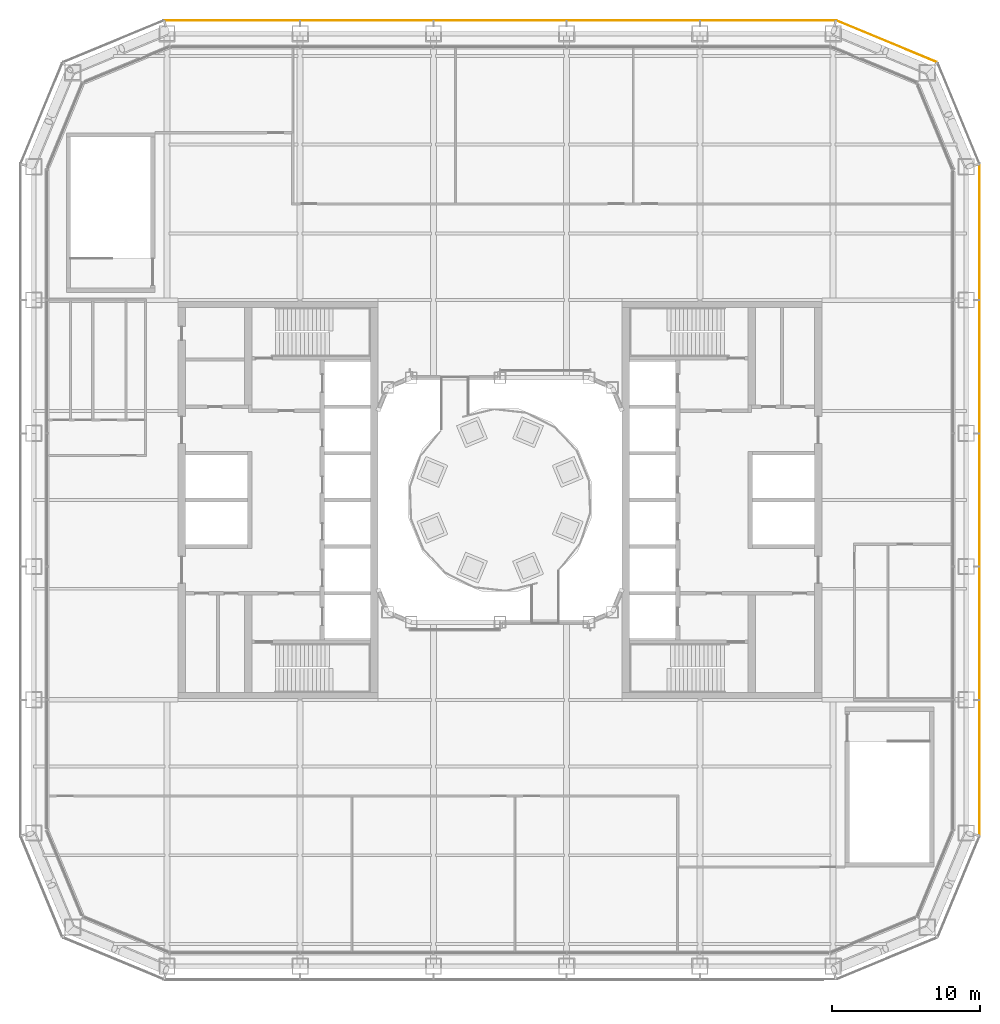
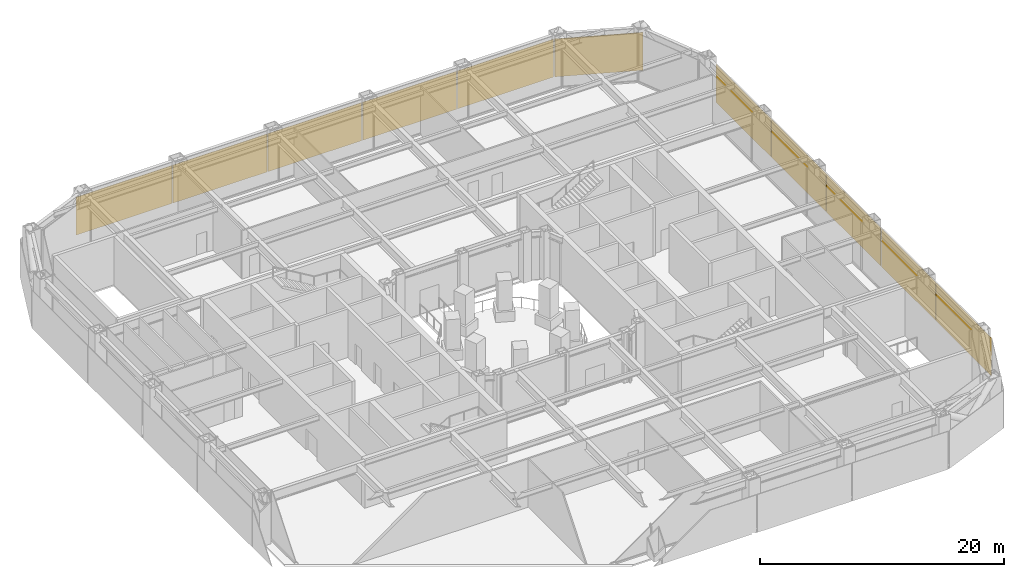
# One storey, part 24 of 25: 11 coverings.
"""IFC4 building model written with IfcOpenShell, lengths in metres."""

from ifc_helpers import new_model, si_unit, direction, frame, origin, origin_2d, place, context, subcontext, project, spatial, rectangle, extrude, material, layer, layer_set, type_object, element, save


model = new_model("IFC4")

# Units and contexts
model_context = context("Model", 3, precision=1e-05, world=origin(), true_north=direction((0.0, 1.0)))
body_context = subcontext(model_context, "Body", "Model", "MODEL_VIEW")
ifc_project = project(units=[si_unit("LENGTHUNIT", "METRE"), si_unit("AREAUNIT", "SQUARE_METRE"), si_unit("VOLUMEUNIT", "CUBIC_METRE"), si_unit("PLANEANGLEUNIT", "RADIAN"), si_unit("MASSUNIT", "GRAM", prefix="KILO")], contexts=[model_context])

# Site, building, storey
site_placement = place(None, origin())
site = spatial("IfcSite", under=ifc_project, at=site_placement, CompositionType="ELEMENT")
building_placement = place(site_placement, origin())
building = spatial("IfcBuilding", under=site, at=building_placement, Name="Siwar Civic Tower", CompositionType="ELEMENT")
storey_placement = place(building_placement, frame((0.0, 0.0, 17.199951171875)))
storey = spatial("IfcBuildingStorey", under=building, at=storey_placement, Name="L03", CompositionType="ELEMENT", Elevation=17.199951171875)

# Coverings
ifc_material = material(Name="Perforated aluminium cassette, pale metal", Category="aluminium")
ifc_layer = layer(ifc_material, 0.0400390625)
ifc_layer_set = layer_set([ifc_layer], Name="Perforated aluminium cassette, pale metal")
covering_type = type_object("IfcCoveringType", Name="ENV-OUTER SKIN OS-1", PredefinedType="CLADDING", material=ifc_layer_set)
covering_1_placement = place(storey_placement, frame((32.39990234375, -18.07958984375, -0.14990234375), z_axis=(0.0, 0.0, 1.0), x_axis=(0.0, 1.0, 0.0)))
element("IfcCovering", 1, at=covering_1_placement, inside=storey, type_object=covering_type, Name="OUTER SKIN OS-1 E 1", PredefinedType="CLADDING", context=body_context, shape_type="SweptSolid", body=[
    extrude(rectangle(XDim=9.05908203125, YDim=0.0400390625, at=origin_2d()), origin(), (0.0, 0.0, 1.0), 3.800048828125),
])
for number, where, z_axis, x_axis, name in (
    (2, (32.39990234375, -9.0, -0.14990234375), (0.0, 0.0, 1.0), (0.0, 1.0, 0.0), "OUTER SKIN OS-1 E 2"),
    (3, (32.39990234375, 0.0, -0.14990234375), (0.0, 0.0, 1.0), (0.0, 1.0, 0.0), "OUTER SKIN OS-1 E 3"),
    (4, (32.39990234375, 9.0, -0.14990234375), (0.0, 0.0, 1.0), (0.0, 1.0, 0.0), "OUTER SKIN OS-1 E 4"),
):
    element("IfcCovering", number, at=place(storey_placement, frame(where, z_axis=z_axis, x_axis=x_axis)), inside=storey, type_object=covering_type, Name=name, PredefinedType="CLADDING", context=body_context, shape_type="SweptSolid", body=[
        extrude(rectangle(XDim=8.89990234375, YDim=0.0400390625, at=origin_2d()), origin(), (0.0, 0.0, 1.0), 3.800048828125),
    ])
covering_2_placement = place(storey_placement, frame((32.39990234375, 18.07958984375, -0.14990234375), z_axis=(0.0, 0.0, 1.0), x_axis=(0.0, 1.0, 0.0)))
element("IfcCovering", 5, at=covering_2_placement, inside=storey, type_object=covering_type, Name="OUTER SKIN OS-1 E 5", PredefinedType="CLADDING", context=body_context, shape_type="SweptSolid", body=[
    extrude(rectangle(XDim=9.05908203125, YDim=0.0400390625, at=origin_2d()), origin(), (0.0, 0.0, 1.0), 3.800048828125),
])
covering_3_placement = place(storey_placement, frame((26.115966796875, 30.976318359375, -0.14990234375), z_axis=(0.0, 0.0, 1.0), x_axis=(-0.923879532511, 0.382683432365, 0.0)))
element("IfcCovering", 6, at=covering_3_placement, inside=storey, type_object=covering_type, Name="OUTER SKIN OS-1 NE2 1", PredefinedType="CLADDING", context=body_context, shape_type="SweptSolid", body=[
    extrude(rectangle(XDim=7.300048828125, YDim=0.0400390625, at=origin_2d()), origin(), (0.0, 0.0, 1.0), 3.800048828125),
])
covering_4_placement = place(storey_placement, frame((18.07958984375, 32.39990234375, -0.14990234375), z_axis=(0.0, 0.0, 1.0), x_axis=(-1.0, 0.0, 0.0)))
element("IfcCovering", 7, at=covering_4_placement, inside=storey, type_object=covering_type, Name="OUTER SKIN OS-1 N 1", PredefinedType="CLADDING", context=body_context, shape_type="SweptSolid", body=[
    extrude(rectangle(XDim=9.05908203125, YDim=0.0400390625, at=origin_2d()), origin(), (0.0, 0.0, 1.0), 3.800048828125),
])
for number, where, z_axis, x_axis, name in (
    (8, (9.0, 32.39990234375, -0.14990234375), (0.0, 0.0, 1.0), (-1.0, 0.0, 0.0), "OUTER SKIN OS-1 N 2"),
    (9, (0.0, 32.39990234375, -0.14990234375), (0.0, 0.0, 1.0), (-1.0, 0.0, 0.0), "OUTER SKIN OS-1 N 3"),
    (10, (-9.0, 32.39990234375, -0.14990234375), (0.0, 0.0, 1.0), (-1.0, 0.0, 0.0), "OUTER SKIN OS-1 N 4"),
):
    element("IfcCovering", number, at=place(storey_placement, frame(where, z_axis=z_axis, x_axis=x_axis)), inside=storey, type_object=covering_type, Name=name, PredefinedType="CLADDING", context=body_context, shape_type="SweptSolid", body=[
        extrude(rectangle(XDim=8.89990234375, YDim=0.0400390625, at=origin_2d()), origin(), (0.0, 0.0, 1.0), 3.800048828125),
    ])
covering_5_placement = place(storey_placement, frame((-18.07958984375, 32.39990234375, -0.14990234375), z_axis=(0.0, 0.0, 1.0), x_axis=(-1.0, 0.0, 0.0)))
element("IfcCovering", 11, at=covering_5_placement, inside=storey, type_object=covering_type, Name="OUTER SKIN OS-1 N 5", PredefinedType="CLADDING", context=body_context, shape_type="SweptSolid", body=[
    extrude(rectangle(XDim=9.05908203125, YDim=0.0400390625, at=origin_2d()), origin(), (0.0, 0.0, 1.0), 3.800048828125),
])

save(model, "model.ifc")
